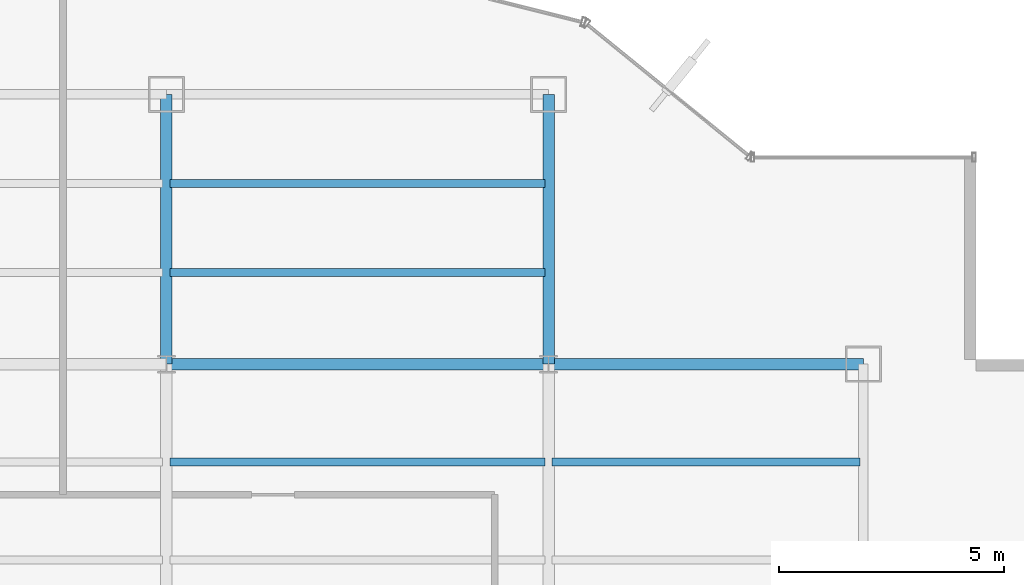
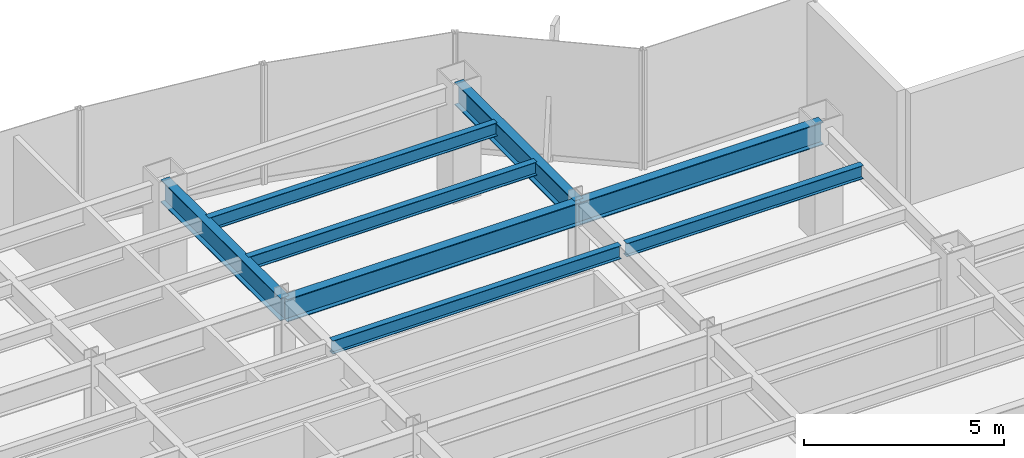
# One storey, part 17 of 26: 8 beams.
"""IFC4 building model written with IfcOpenShell, lengths in metres."""

from ifc_helpers import new_model, si_unit, derived_unit, direction, frame, origin, origin_2d, place, context, subcontext, project, spatial, i_section, extrude, source, transform, mapped, material, material_profile, profile_set, type_object, element, save


model = new_model("IFC4")

# Units and contexts
model_context = context("Model", 3, precision=1e-05, world=origin(), true_north=direction((0.0, 1.0)))
body_context = subcontext(model_context, "Body", "Model", "MODEL_VIEW")
ifc_project = project(units=[si_unit("LENGTHUNIT", "METRE"), si_unit("AREAUNIT", "SQUARE_METRE"), si_unit("VOLUMEUNIT", "CUBIC_METRE"), si_unit("PLANEANGLEUNIT", "RADIAN"), si_unit("MASSUNIT", "GRAM", prefix="KILO"), derived_unit("THERMALTRANSMITTANCEUNIT", [(si_unit("POWERUNIT", "WATT"), 1), (si_unit("LENGTHUNIT", "METRE"), -2), (si_unit("THERMODYNAMICTEMPERATUREUNIT", "KELVIN"), -1)])], contexts=[model_context])

# Site, building, storey
site_placement = place(None, origin())
site = spatial("IfcSite", under=ifc_project, at=site_placement, CompositionType="ELEMENT")
building_placement = place(site_placement, origin())
building = spatial("IfcBuilding", under=site, at=building_placement, Name="Skarnbrae Concourse Arena and Tower", CompositionType="ELEMENT")
storey_placement = place(building_placement, frame((0.0, 0.0, 110.550048828125)))
storey = spatial("IfcBuildingStorey", under=building, at=storey_placement, Name="L27", CompositionType="ELEMENT", Elevation=110.550048828125)

# Beams
ifc_material = material(Name="Steel CSA G40.21 350W", Category="steel")
ifc_material_profile_1 = material_profile(ifc_material, i_section(OverallWidth=0.256103515625, OverallDepth=0.693115234375, WebThickness=0.014404296875, FlangeThickness=0.023681640625, at=origin_2d()), Name="W690X170")
ifc_profile_set_1 = profile_set([ifc_material_profile_1], Name="Steel CSA G40.21 350W")
beam_type_1 = type_object("IfcBeamType", Name="BM-GIRD-W690X170", PredefinedType="BEAM", material=ifc_profile_set_1)
shared_shape_1 = source(origin(), body_context, "Body", "SweptSolid", [
    extrude(i_section(OverallWidth=0.256103515625, OverallDepth=0.693115234375, WebThickness=0.014404296875, FlangeThickness=0.023681640625, at=origin_2d()), origin(), (0.0, 0.0, 1.0), 7.0),
])
beam_1_placement = place(storey_placement, frame((42.0, 34.39990234375, 3.053466796875), z_axis=(1.0, 0.0, 0.0), x_axis=(0.0, 1.0, 0.0)))
element("IfcBeam", 1, at=beam_1_placement, inside=storey, type_object=beam_type_1, Name="L27 Primary E-W girder Y34.4-6", PredefinedType="BEAM", context=body_context, shape_type="MappedRepresentation", body=[
    mapped(shared_shape_1, transform((0.0, 0.0, 0.0))),
])
shared_shape_2 = source(origin(), body_context, "Body", "SweptSolid", [
    extrude(i_section(OverallWidth=0.256103515625, OverallDepth=0.693115234375, WebThickness=0.014404296875, FlangeThickness=0.023681640625, at=origin_2d()), origin(), (0.0, 0.0, 1.0), 8.5),
])
beam_2_placement = place(storey_placement, frame((33.5, 34.39990234375, 3.053466796875), z_axis=(1.0, 0.0, 0.0), x_axis=(0.0, 1.0, 0.0)))
element("IfcBeam", 2, at=beam_2_placement, inside=storey, type_object=beam_type_1, Name="L27 Primary E-W girder Y34.4-5", PredefinedType="BEAM", context=body_context, shape_type="MappedRepresentation", body=[
    mapped(shared_shape_2, transform((0.0, 0.0, 0.0))),
])
shared_shape_3 = source(origin(), body_context, "Body", "SweptSolid", [
    extrude(i_section(OverallWidth=0.256103515625, OverallDepth=0.693115234375, WebThickness=0.014404296875, FlangeThickness=0.023681640625, at=origin_2d()), origin(), (0.0, 0.0, 1.0), 6.0),
])
for number, where, z_axis, x_axis, name in (
    (3, (33.5, 34.39990234375, 3.053466796875), (0.0, 1.0, 0.0), (-1.0, 0.0, 0.0), "L27 Primary N-S girder X33.5-4"),
    (4, (42.0, 34.39990234375, 3.053466796875), (0.0, 1.0, 0.0), (-1.0, 0.0, 0.0), "L27 Primary N-S girder X42.0-5"),
):
    element("IfcBeam", number, at=place(storey_placement, frame(where, z_axis=z_axis, x_axis=x_axis)), inside=storey, type_object=beam_type_1, Name=name, PredefinedType="BEAM", context=body_context, shape_type="MappedRepresentation", body=[
        mapped(shared_shape_3, transform((0.0, 0.0, 0.0))),
    ])
ifc_material_profile_2 = material_profile(ifc_material, i_section(OverallWidth=0.177978515625, OverallDepth=0.406982421875, WebThickness=0.0078125, FlangeThickness=0.0126953125, at=origin_2d()), Name="W410X60")
ifc_profile_set_2 = profile_set([ifc_material_profile_2], Name="Steel CSA G40.21 350W")
beam_type_2 = type_object("IfcBeamType", Name="BM-JOIST-W410X60", PredefinedType="JOIST", material=ifc_profile_set_2)
shared_shape_4 = source(origin(), body_context, "Body", "SweptSolid", [
    extrude(i_section(OverallWidth=0.177978515625, OverallDepth=0.406982421875, WebThickness=0.0078125, FlangeThickness=0.0126953125, at=origin_2d()), origin(), (0.0, 0.0, 1.0), 8.33984375),
])
for number, where, z_axis, x_axis, name in (
    (5, (33.580078125, 32.221923828125, 3.196533203125), (1.0, 0.0, 0.0), (0.0, 1.0, 0.0), "L27 Secondary floor joist 3.2.5"),
    (6, (33.580078125, 36.43994140625, 3.196533203125), (1.0, 0.0, 0.0), (0.0, 1.0, 0.0), "L27 Secondary floor joist 4.1.4"),
    (7, (33.580078125, 38.419921875, 3.196533203125), (1.0, 0.0, 0.0), (0.0, 1.0, 0.0), "L27 Secondary floor joist 4.2.4"),
):
    element("IfcBeam", number, at=place(storey_placement, frame(where, z_axis=z_axis, x_axis=x_axis)), inside=storey, type_object=beam_type_2, Name=name, PredefinedType="JOIST", context=body_context, shape_type="MappedRepresentation", body=[
        mapped(shared_shape_4, transform((0.0, 0.0, 0.0))),
    ])
shared_shape_5 = source(origin(), body_context, "Body", "SweptSolid", [
    extrude(i_section(OverallWidth=0.177978515625, OverallDepth=0.406982421875, WebThickness=0.0078125, FlangeThickness=0.0126953125, at=origin_2d()), origin(), (0.0, 0.0, 1.0), 6.83984375),
])
beam_3_placement = place(storey_placement, frame((42.080078125, 32.221923828125, 3.196533203125), z_axis=(1.0, 0.0, 0.0), x_axis=(0.0, 1.0, 0.0)))
element("IfcBeam", 8, at=beam_3_placement, inside=storey, type_object=beam_type_2, Name="L27 Secondary floor joist 3.2.6", PredefinedType="JOIST", context=body_context, shape_type="MappedRepresentation", body=[
    mapped(shared_shape_5, transform((0.0, 0.0, 0.0))),
])

save(model, "model.ifc")
